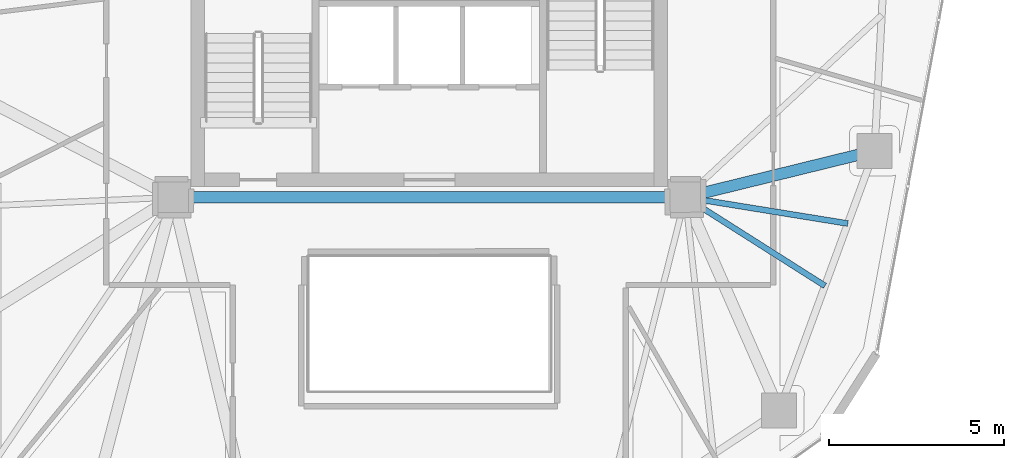
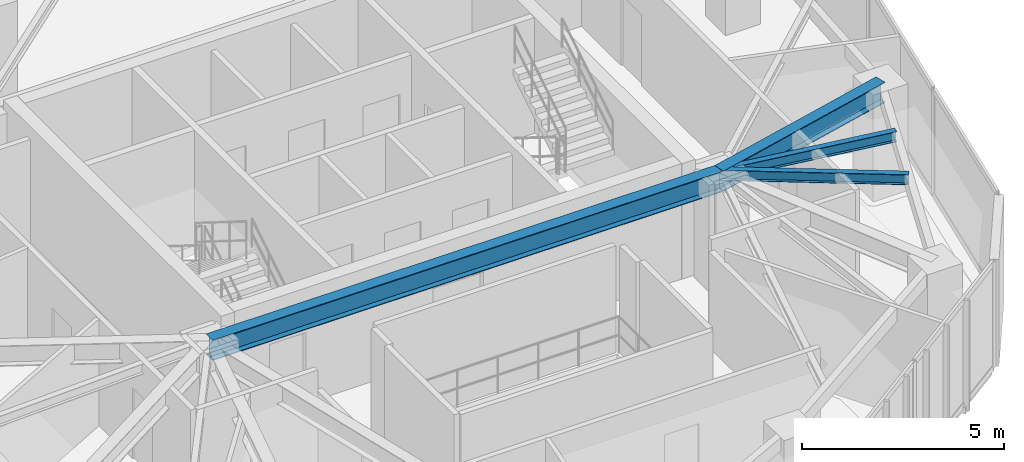
# One storey, part 8 of 19: 4 beams.
"""IFC4 building model written with IfcOpenShell, lengths in metres."""

from ifc_helpers import new_model, si_unit, direction, frame, origin, origin_2d, place, context, subcontext, project, spatial, i_section, extrude, material, material_profile, profile_set, type_object, element, save


model = new_model("IFC4")

# Units and contexts
model_context = context("Model", 3, precision=1e-05, world=origin(), true_north=direction((0.0, 1.0)))
body_context = subcontext(model_context, "Body", "Model", "MODEL_VIEW")
ifc_project = project(units=[si_unit("LENGTHUNIT", "METRE"), si_unit("AREAUNIT", "SQUARE_METRE"), si_unit("VOLUMEUNIT", "CUBIC_METRE"), si_unit("PLANEANGLEUNIT", "RADIAN"), si_unit("MASSUNIT", "GRAM", prefix="KILO")], contexts=[model_context])

# Site, building, storey
site_placement = place(None, origin())
site = spatial("IfcSite", under=ifc_project, at=site_placement, CompositionType="ELEMENT")
building_placement = place(site_placement, origin())
building = spatial("IfcBuilding", under=site, at=building_placement, Name="Talar Marvaseh", CompositionType="ELEMENT")
storey_placement = place(building_placement, frame((0.0, 0.0, 195.0)))
storey = spatial("IfcBuildingStorey", under=building, at=storey_placement, Name="L51", CompositionType="ELEMENT", Elevation=195.0)

# Beams
ifc_material = material(Name="Steel S355", Category="steel")
ifc_material_profile_1 = material_profile(ifc_material, i_section(OverallWidth=0.324951171875, OverallDepth=0.615966796875, WebThickness=0.013916015625, FlangeThickness=0.021484375, at=origin_2d()), Name="W610x174")
ifc_profile_set_1 = profile_set([ifc_material_profile_1], Name="Steel S355")
beam_type_1 = type_object("IfcBeamType", Name="Zone 3 Radial Floor Girder W610x174", PredefinedType="BEAM", material=ifc_profile_set_1)
beam_1_placement = place(storey_placement, frame((18.699951171875, 25.5, 2.922119140625), z_axis=(1.0, 0.0, 0.0), x_axis=(0.0, 1.0, 0.0)))
element("IfcBeam", 1, at=beam_1_placement, inside=storey, type_object=beam_type_1, Name="L51 Zone 3 Radial Floor Girder W610x174", PredefinedType="BEAM", context=body_context, shape_type="SweptSolid", body=[
    extrude(i_section(OverallWidth=0.324951171875, OverallDepth=0.615966796875, WebThickness=0.013916015625, FlangeThickness=0.021484375, at=origin_2d()), origin(), (0.0, 0.0, 1.0), 14.60009765625),
])
beam_2_placement = place(storey_placement, frame((38.68896484375, 26.823974609375, 2.922119140625), z_axis=(-0.971120507527, -0.238589521692, 0.0), x_axis=(0.238589521692, -0.971120507527, 0.0)))
element("IfcBeam", 2, at=beam_2_placement, inside=storey, type_object=beam_type_1, Name="L51 Zone 3 Radial Floor Girder W610x174", PredefinedType="BEAM", context=body_context, shape_type="SweptSolid", body=[
    extrude(i_section(OverallWidth=0.324951171875, OverallDepth=0.615966796875, WebThickness=0.013916015625, FlangeThickness=0.021484375, at=origin_2d()), origin(), (0.0, 0.0, 1.0), 5.549072265625),
])
ifc_material_profile_2 = material_profile(ifc_material, i_section(OverallWidth=0.166015625, OverallDepth=0.31298828125, WebThickness=0.006591796875, FlangeThickness=0.01123046875, at=origin_2d()), Name="W310x45")
ifc_profile_set_2 = profile_set([ifc_material_profile_2], Name="Steel S355")
beam_type_2 = type_object("IfcBeamType", Name="Zone 3 Secondary Floor Joist W310x45", PredefinedType="JOIST", material=ifc_profile_set_2)
beam_3_placement = place(storey_placement, frame((37.927978515625, 24.751708984375, 3.073486328125), z_axis=(-0.987178985963, 0.159617197298, 0.0), x_axis=(-0.159617197298, -0.987178985963, 0.0)))
element("IfcBeam", 3, at=beam_3_placement, inside=storey, type_object=beam_type_2, Name="L51 Zone 3 Secondary Floor Joist W310x45", PredefinedType="JOIST", context=body_context, shape_type="SweptSolid", body=[
    extrude(i_section(OverallWidth=0.166015625, OverallDepth=0.31298828125, WebThickness=0.006591796875, FlangeThickness=0.01123046875, at=origin_2d()), origin(), (0.0, 0.0, 1.0), 4.68798828125),
])
beam_4_placement = place(storey_placement, frame((37.275634765625, 22.9755859375, 3.073486328125), z_axis=(-0.844190472961, 0.536043324147, 0.0), x_axis=(-0.536043324147, -0.844190472961, 0.0)))
element("IfcBeam", 4, at=beam_4_placement, inside=storey, type_object=beam_type_2, Name="L51 Zone 3 Secondary Floor Joist W310x45", PredefinedType="JOIST", context=body_context, shape_type="SweptSolid", body=[
    extrude(i_section(OverallWidth=0.166015625, OverallDepth=0.31298828125, WebThickness=0.006591796875, FlangeThickness=0.01123046875, at=origin_2d()), origin(), (0.0, 0.0, 1.0), 4.709228515625),
])

save(model, "model.ifc")
